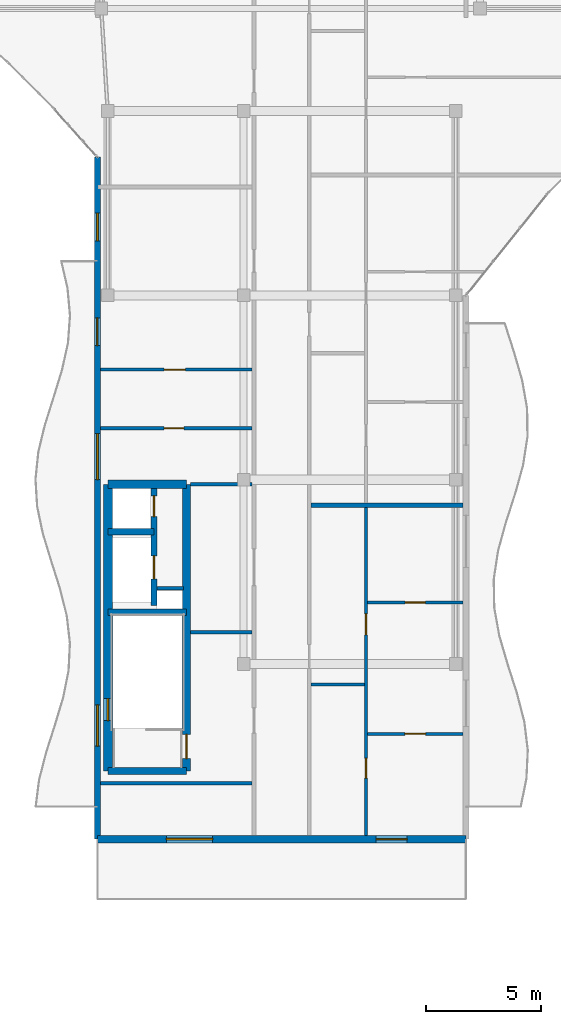
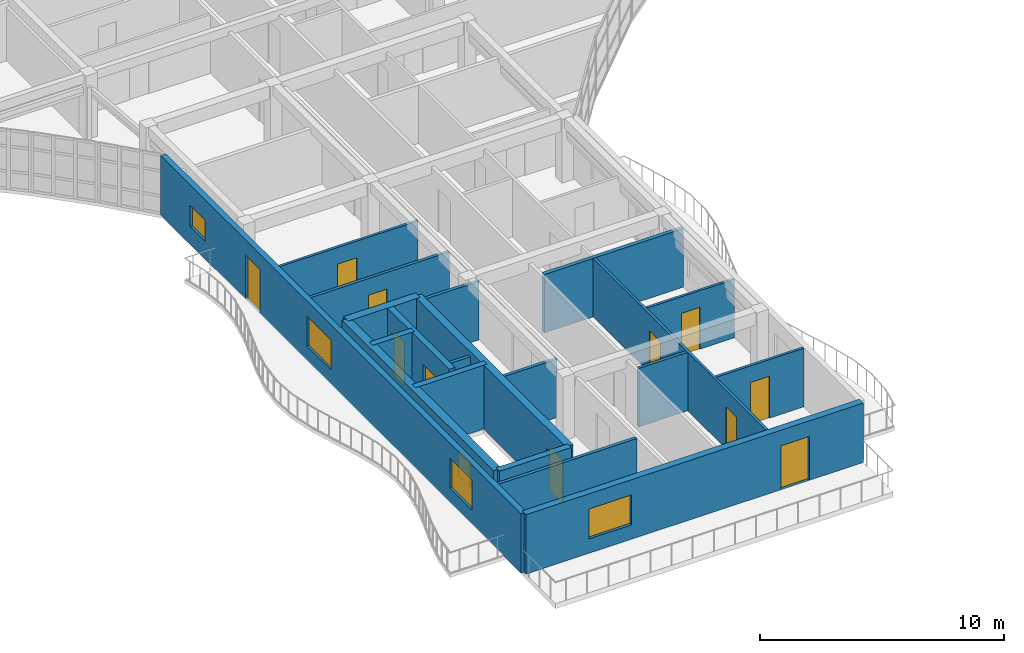
# One storey, part 25 of 49: 20 walls, 11 doors, 5 windows, 16 openings.
"""IFC4 building model written with IfcOpenShell, lengths in metres."""

from ifc_helpers import new_model, si_unit, direction, frame, frame_2d, origin, place, context, subcontext, project, spatial, rectangle, extrude, material, layer, layer_set, type_object, element, fill, save


model = new_model("IFC4")

# Units and contexts
model_context = context("Model", 3, precision=1e-05, world=origin(), true_north=direction((0.0, 1.0)))
body_context = subcontext(model_context, "Body", "Model", "MODEL_VIEW")
ifc_project = project(units=[si_unit("LENGTHUNIT", "METRE"), si_unit("AREAUNIT", "SQUARE_METRE"), si_unit("VOLUMEUNIT", "CUBIC_METRE"), si_unit("PLANEANGLEUNIT", "RADIAN"), si_unit("MASSUNIT", "GRAM", prefix="KILO")], contexts=[model_context])

# Site, building, storey
site_placement = place(None, origin())
site = spatial("IfcSite", under=ifc_project, at=site_placement, CompositionType="ELEMENT")
building_placement = place(site_placement, origin())
building = spatial("IfcBuilding", under=site, at=building_placement, Name="Keldmere Railside Commons", CompositionType="ELEMENT")
storey_placement = place(building_placement, frame((0.0, 0.0, 29.760009765625)))
storey = spatial("IfcBuildingStorey", under=building, at=storey_placement, Name="L09", CompositionType="ELEMENT", Elevation=29.760009765625)

# Wall
ifc_material_1 = material(Name="Acoustic Gypsum Board Partition", Category="gypsum")
ifc_layer_1 = layer(ifc_material_1, 0.179931640625, Name="Acoustic Demising Partition 180")
ifc_layer_set_1 = layer_set([ifc_layer_1], Name="Acoustic Gypsum Board Partition")
wall_type_1 = type_object("IfcWallType", Name="Acoustic Demising Partition 180", PredefinedType="PARTITIONING", material=ifc_layer_set_1)
wall_1_placement = place(storey_placement, frame((57.280029296875, 78.889892578125, 0.0), z_axis=(0.0, 0.0, 1.0), x_axis=(1.0, 0.0, 0.0)))
element("IfcWall", 1, at=wall_1_placement, inside=storey, type_object=wall_type_1, Name="IW-1 IW-L09-0868", PredefinedType="PARTITIONING", context=body_context, shape_type="SweptSolid", body=[
    extrude(rectangle(XDim=6.590087890625, YDim=0.179931640625, at=frame_2d((3.294921875, 0.0))), origin(), (0.0, 0.0, 1.0), 2.93505859375),
])

# Wall, openings, doors
ifc_layer_2 = layer(ifc_material_1, 0.1201171875, Name="Apartment Interior Partition 120")
ifc_layer_set_2 = layer_set([ifc_layer_2], Name="Acoustic Gypsum Board Partition")
wall_type_2 = type_object("IfcWallType", Name="Apartment Interior Partition 120", PredefinedType="PARTITIONING", material=ifc_layer_set_2)
wall_2_placement = place(storey_placement, frame((59.659912109375, 64.56005859375, 0.0), z_axis=(0.0, 0.0, 1.0), x_axis=(0.0, 1.0, 0.0)))
wall_2 = element("IfcWall", 2, at=wall_2_placement, inside=storey, type_object=wall_type_2, Name="IW-4 IW-L09-0870", PredefinedType="PARTITIONING", context=body_context, shape_type="SweptSolid", body=[
    extrude(rectangle(XDim=14.239990234375, YDim=0.1201171875, at=frame_2d((7.1201171875, 0.0))), origin(), (0.0, 0.0, 1.0), 2.93505859375),
])
opening_1_placement = place(wall_2_placement, frame((2.489013671875, 0.0, 0.0)))
opening_1 = element("IfcOpeningElement", 3, at=opening_1_placement, cuts=wall_2, Name="Opening ID-04", PredefinedType="OPENING", context=body_context, shape_type="SweptSolid", body=[
    extrude(rectangle(XDim=0.860107421875, YDim=2.10009765625, at=frame_2d((0.43017578125, 1.050048828125))), frame((0.0, 0.070068359375, 0.0), z_axis=(0.0, -1.0, 0.0), x_axis=(1.0, 0.0, 0.0)), (0.0, 0.0, 1.0), 0.14013671875),
])
opening_2_placement = place(wall_2_placement, frame((8.703125, 0.0, 0.0)))
opening_2 = element("IfcOpeningElement", 4, at=opening_2_placement, cuts=wall_2, Name="Opening ID-03", PredefinedType="OPENING", context=body_context, shape_type="SweptSolid", body=[
    extrude(rectangle(XDim=0.919921875, YDim=2.10009765625, at=frame_2d((0.4599609375, 1.050048828125))), frame((0.0, 0.070068359375, 0.0), z_axis=(0.0, -1.0, 0.0), x_axis=(1.0, 0.0, 0.0)), (0.0, 0.0, 1.0), 0.14013671875),
])
ifc_material_2 = material(Name="Engineered Oak Timber", Category="wood")
door_type_1 = type_object("IfcDoorType", Name="Apartment Bathroom Door 860x2100", OperationType="NOTDEFINED", PredefinedType="DOOR", material=ifc_material_2)
door_1_placement = place(opening_1_placement, origin())
door_1 = element("IfcDoor", 5, at=door_1_placement, inside=storey, type_object=door_type_1, Name="ID-04 IDR-L09-0745", OperationType="SINGLE_SWING_LEFT", OverallHeight=2.10009765625, OverallWidth=0.860107421875, PredefinedType="DOOR", context=body_context, shape_type="SweptSolid", body=[
    extrude(rectangle(XDim=0.860107421875, YDim=2.10009765625, at=frame_2d((0.43017578125, 1.050048828125))), frame((0.0, 0.02490234375, 0.0), z_axis=(0.0, -1.0, 0.0), x_axis=(1.0, 0.0, 0.0)), (0.0, 0.0, 1.0), 0.050048828125),
])
fill(opening_1, door_1)
door_type_2 = type_object("IfcDoorType", Name="Kitchen Pocket-Frame Swing Door 920x2100", OperationType="NOTDEFINED", PredefinedType="DOOR", material=ifc_material_2)
door_2_placement = place(opening_2_placement, origin())
door_2 = element("IfcDoor", 6, at=door_2_placement, inside=storey, type_object=door_type_2, Name="ID-03 IDR-L09-0746", OperationType="SINGLE_SWING_RIGHT", OverallHeight=2.10009765625, OverallWidth=0.919921875, PredefinedType="DOOR", context=body_context, shape_type="SweptSolid", body=[
    extrude(rectangle(XDim=0.919921875, YDim=2.10009765625, at=frame_2d((0.4599609375, 1.050048828125))), frame((0.0, 0.02490234375, 0.0), z_axis=(0.0, -1.0, 0.0), x_axis=(1.0, 0.0, 0.0)), (0.0, 0.0, 1.0), 0.050048828125),
])
fill(opening_2, door_2)

# Wall, opening, door
wall_3_placement = place(storey_placement, frame((59.719970703125, 68.969970703125, 0.0), z_axis=(0.0, 0.0, 1.0), x_axis=(1.0, 0.0, 0.0)))
wall_3 = element("IfcWall", 7, at=wall_3_placement, inside=storey, type_object=wall_type_2, Name="IW-4 IW-L09-0872", PredefinedType="PARTITIONING", context=body_context, shape_type="SweptSolid", body=[
    extrude(rectangle(XDim=4.150146484375, YDim=0.1201171875, at=frame_2d((2.0751953125, 0.0))), origin(), (0.0, 0.0, 1.0), 2.93505859375),
])
opening_3_placement = place(wall_3_placement, frame((1.625, 0.0, 0.0)))
opening_3 = element("IfcOpeningElement", 8, at=opening_3_placement, cuts=wall_3, Name="Opening ID-01", PredefinedType="OPENING", context=body_context, shape_type="SweptSolid", body=[
    extrude(rectangle(XDim=0.89990234375, YDim=2.10009765625, at=frame_2d((0.449951171875, 1.050048828125))), frame((0.0, 0.070068359375, 0.0), z_axis=(0.0, -1.0, 0.0), x_axis=(1.0, 0.0, 0.0)), (0.0, 0.0, 1.0), 0.14013671875),
])
door_type_3 = type_object("IfcDoorType", Name="Primary Bedroom Door 900x2100", OperationType="NOTDEFINED", PredefinedType="DOOR", material=ifc_material_2)
door_3_placement = place(opening_3_placement, origin())
door_3 = element("IfcDoor", 9, at=door_3_placement, inside=storey, type_object=door_type_3, Name="ID-01 IDR-L09-0748", OperationType="SINGLE_SWING_RIGHT", OverallHeight=2.10009765625, OverallWidth=0.89990234375, PredefinedType="DOOR", context=body_context, shape_type="SweptSolid", body=[
    extrude(rectangle(XDim=0.89990234375, YDim=2.10009765625, at=frame_2d((0.449951171875, 1.050048828125))), frame((0.0, 0.02490234375, 0.0), z_axis=(0.0, -1.0, 0.0), x_axis=(1.0, 0.0, 0.0)), (0.0, 0.0, 1.0), 0.050048828125),
])
fill(opening_3, door_3)

wall_4_placement = place(storey_placement, frame((59.719970703125, 74.669921875, 0.0), z_axis=(0.0, 0.0, 1.0), x_axis=(1.0, 0.0, 0.0)))
wall_4 = element("IfcWall", 10, at=wall_4_placement, inside=storey, type_object=wall_type_2, Name="IW-4 IW-L09-0873", PredefinedType="PARTITIONING", context=body_context, shape_type="SweptSolid", body=[
    extrude(rectangle(XDim=4.150146484375, YDim=0.1201171875, at=frame_2d((2.0751953125, 0.0))), origin(), (0.0, 0.0, 1.0), 2.93505859375),
])
opening_4_placement = place(wall_4_placement, frame((1.635009765625, 0.0, 0.0)))
opening_4 = element("IfcOpeningElement", 11, at=opening_4_placement, cuts=wall_4, Name="Opening ID-02", PredefinedType="OPENING", context=body_context, shape_type="SweptSolid", body=[
    extrude(rectangle(XDim=0.8798828125, YDim=2.10009765625, at=frame_2d((0.43994140625, 1.050048828125))), frame((0.0, 0.070068359375, 0.0), z_axis=(0.0, -1.0, 0.0), x_axis=(1.0, 0.0, 0.0)), (0.0, 0.0, 1.0), 0.14013671875),
])
door_type_4 = type_object("IfcDoorType", Name="Secondary Bedroom Door 880x2100", OperationType="NOTDEFINED", PredefinedType="DOOR", material=ifc_material_2)
door_4_placement = place(opening_4_placement, origin())
door_4 = element("IfcDoor", 12, at=door_4_placement, inside=storey, type_object=door_type_4, Name="ID-02 IDR-L09-0749", OperationType="SINGLE_SWING_LEFT", OverallHeight=2.10009765625, OverallWidth=0.8798828125, PredefinedType="DOOR", context=body_context, shape_type="SweptSolid", body=[
    extrude(rectangle(XDim=0.8798828125, YDim=2.10009765625, at=frame_2d((0.43994140625, 1.050048828125))), frame((0.0, 0.02490234375, 0.0), z_axis=(0.0, -1.0, 0.0), x_axis=(1.0, 0.0, 0.0)), (0.0, 0.0, 1.0), 0.050048828125),
])
fill(opening_4, door_4)

wall_5_placement = place(storey_placement, frame((48.1298828125, 84.780029296875, 0.0), z_axis=(0.0, 0.0, 1.0), x_axis=(1.0, 0.0, 0.0)))
wall_5 = element("IfcWall", 13, at=wall_5_placement, inside=storey, type_object=wall_type_2, Name="IW-4 IW-L09-0894", PredefinedType="PARTITIONING", context=body_context, shape_type="SweptSolid", body=[
    extrude(rectangle(XDim=6.590087890625, YDim=0.1201171875, at=frame_2d((3.294921875, 0.0))), origin(), (0.0, 0.0, 1.0), 2.93505859375),
])
opening_5_placement = place(wall_5_placement, frame((2.767822265625, 0.0, 0.0)))
opening_5 = element("IfcOpeningElement", 14, at=opening_5_placement, cuts=wall_5, Name="Opening ID-03", PredefinedType="OPENING", context=body_context, shape_type="SweptSolid", body=[
    extrude(rectangle(XDim=0.919921875, YDim=2.10009765625, at=frame_2d((0.4599609375, 1.050048828125))), frame((0.0, 0.070068359375, 0.0), z_axis=(0.0, -1.0, 0.0), x_axis=(1.0, 0.0, 0.0)), (0.0, 0.0, 1.0), 0.14013671875),
])
door_5_placement = place(opening_5_placement, origin())
door_5 = element("IfcDoor", 15, at=door_5_placement, inside=storey, type_object=door_type_2, Name="ID-03 IDR-L09-0774", OperationType="SINGLE_SWING_RIGHT", OverallHeight=2.10009765625, OverallWidth=0.919921875, PredefinedType="DOOR", context=body_context, shape_type="SweptSolid", body=[
    extrude(rectangle(XDim=0.919921875, YDim=2.10009765625, at=frame_2d((0.4599609375, 1.050048828125))), frame((0.0, 0.02490234375, 0.0), z_axis=(0.0, -1.0, 0.0), x_axis=(1.0, 0.0, 0.0)), (0.0, 0.0, 1.0), 0.050048828125),
])
fill(opening_5, door_5)

# Walls
ifc_material_3 = material(Name="Concrete H-35 (C35/45)", Category="concrete")
ifc_layer_3 = layer(ifc_material_3, 0.280029296875, Name="Core Shear Wall 280")
ifc_layer_set_3 = layer_set([ifc_layer_3], Name="Concrete H-35 (C35/45)")
wall_type_3 = type_object("IfcWallType", Name="Core Shear Wall 280", PredefinedType="SHEAR", material=ifc_layer_set_3)
wall_6_placement = place(storey_placement, frame((48.4599609375, 74.239990234375, 0.0), z_axis=(0.0, 0.0, 1.0), x_axis=(1.0, 0.0, 0.0)))
element("IfcWall", 16, at=wall_6_placement, inside=storey, type_object=wall_type_3, Name="CSW-2 CORECM-L09-0310", PredefinedType="SHEAR", context=body_context, shape_type="SweptSolid", body=[
    extrude(rectangle(XDim=3.41015625, YDim=0.280029296875, at=frame_2d((1.705078125, 0.0))), origin(), (0.0, 0.0, 1.0), 3.199951171875),
])
wall_7_placement = place(storey_placement, frame((48.4599609375, 77.75, 0.0), z_axis=(0.0, 0.0, 1.0), x_axis=(1.0, 0.0, 0.0)))
element("IfcWall", 17, at=wall_7_placement, inside=storey, type_object=wall_type_3, Name="CSW-2 CORECL-L09-0311", PredefinedType="SHEAR", context=body_context, shape_type="SweptSolid", body=[
    extrude(rectangle(XDim=2.0, YDim=0.280029296875, at=frame_2d((1.0, 0.0))), origin(), (0.0, 0.0, 1.0), 3.199951171875),
])

# Wall, openings, doors
wall_8_placement = place(storey_placement, frame((50.4599609375, 74.550048828125, 0.0), z_axis=(0.0, 0.0, 1.0), x_axis=(0.0, 1.0, 0.0)))
wall_8 = element("IfcWall", 18, at=wall_8_placement, inside=storey, type_object=wall_type_3, Name="CSW-2 LSHC-L09-0312", PredefinedType="SHEAR", context=body_context, shape_type="SweptSolid", body=[
    extrude(rectangle(XDim=5.25, YDim=0.280029296875, at=frame_2d((2.625, 0.0))), origin(), (0.0, 0.0, 1.0), 3.199951171875),
])
opening_6_placement = place(wall_8_placement, frame((1.14990234375, 0.0, 0.0)))
opening_6 = element("IfcOpeningElement", 19, at=opening_6_placement, cuts=wall_8, Name="Opening LD-1", PredefinedType="OPENING", context=body_context, shape_type="SweptSolid", body=[
    extrude(rectangle(XDim=1.0, YDim=2.14990234375, at=frame_2d((0.5, 1.074951171875))), frame((0.0, 0.14990234375, 0.0), z_axis=(0.0, -1.0, 0.0), x_axis=(1.0, 0.0, 0.0)), (0.0, 0.0, 1.0), 0.300048828125),
])
opening_7_placement = place(wall_8_placement, frame((3.85009765625, 0.0, 0.0)))
opening_7 = element("IfcOpeningElement", 20, at=opening_7_placement, cuts=wall_8, Name="Opening LD-2", PredefinedType="OPENING", context=body_context, shape_type="SweptSolid", body=[
    extrude(rectangle(XDim=0.89990234375, YDim=2.14990234375, at=frame_2d((0.449951171875, 1.074951171875))), frame((0.0, 0.14990234375, 0.0), z_axis=(0.0, -1.0, 0.0), x_axis=(1.0, 0.0, 0.0)), (0.0, 0.0, 1.0), 0.300048828125),
])
ifc_material_4 = material(Name="Steel F-24 (S235)", Category="steel")
door_type_5 = type_object("IfcDoorType", Name="Firefighting Stretcher Lift Landing Door 1000x2150", OperationType="SLIDING_TO_LEFT", PredefinedType="DOOR", material=ifc_material_4)
door_6_placement = place(opening_6_placement, origin())
door_6 = element("IfcDoor", 21, at=door_6_placement, inside=storey, type_object=door_type_5, Name="LD-1 C L09", OperationType="SLIDING_TO_LEFT", OverallHeight=2.14990234375, OverallWidth=1.0, PredefinedType="DOOR", context=body_context, shape_type="SweptSolid", body=[
    extrude(rectangle(XDim=1.0, YDim=2.14990234375, at=frame_2d((0.5, 1.074951171875))), frame((0.0, 0.02490234375, 0.0), z_axis=(0.0, -1.0, 0.0), x_axis=(1.0, 0.0, 0.0)), (0.0, 0.0, 1.0), 0.050048828125),
])
fill(opening_6, door_6)
door_type_6 = type_object("IfcDoorType", Name="Passenger Lift Sliding Landing Door 900x2150", OperationType="SLIDING_TO_RIGHT", PredefinedType="DOOR", material=ifc_material_4)
door_7_placement = place(opening_7_placement, origin())
door_7 = element("IfcDoor", 22, at=door_7_placement, inside=storey, type_object=door_type_6, Name="LD-2 C L09", OperationType="SLIDING_TO_RIGHT", OverallHeight=2.14990234375, OverallWidth=0.89990234375, PredefinedType="DOOR", context=body_context, shape_type="SweptSolid", body=[
    extrude(rectangle(XDim=0.89990234375, YDim=2.14990234375, at=frame_2d((0.449951171875, 1.074951171875))), frame((0.0, 0.02490234375, 0.0), z_axis=(0.0, -1.0, 0.0), x_axis=(1.0, 0.0, 0.0)), (0.0, 0.0, 1.0), 0.050048828125),
])
fill(opening_7, door_7)

# Wall, opening, window
ifc_material_5 = material(Name="Concrete H-40 (C40/50)", Category="concrete")
ifc_layer_4 = layer(ifc_material_5, 0.3798828125, Name="Core Shear Wall 380")
ifc_layer_set_4 = layer_set([ifc_layer_4], Name="Concrete H-40 (C40/50)")
wall_type_4 = type_object("IfcWallType", Name="Core Shear Wall 380", PredefinedType="SHEAR", material=ifc_layer_set_4)
wall_9_placement = place(storey_placement, frame((48.4599609375, 67.35009765625, 0.0), z_axis=(0.0, 0.0, 1.0), x_axis=(0.0, 1.0, 0.0)))
wall_9 = element("IfcWall", 23, at=wall_9_placement, inside=storey, type_object=wall_type_4, Name="CW-CORE CORECW-L09-0306", PredefinedType="SHEAR", context=body_context, shape_type="SweptSolid", body=[
    extrude(rectangle(XDim=12.449951171875, YDim=0.3798828125, at=frame_2d((6.22509765625, 0.0))), origin(), (0.0, 0.0, 1.0), 3.199951171875),
])
opening_8_placement = place(wall_9_placement, frame((2.199951171875, 0.0, 0.969970703125)))
opening_8 = element("IfcOpeningElement", 24, at=opening_8_placement, cuts=wall_9, Name="Opening WN-17", PredefinedType="OPENING", context=body_context, shape_type="SweptSolid", body=[
    extrude(rectangle(XDim=0.949951171875, YDim=1.25, at=frame_2d((0.47509765625, 0.625))), frame((0.0, 0.199951171875, 0.0), z_axis=(0.0, -1.0, 0.0), x_axis=(1.0, 0.0, 0.0)), (0.0, 0.0, 1.0), 0.39990234375),
])
ifc_material_6 = material(Name="Low-E Insulated Double Glazing", Category="glass")
window_type_1 = type_object("IfcWindowType", Name="Stair Core Natural Smoke-Vent Window 950x1250", PartitioningType="SINGLE_PANEL", PredefinedType="WINDOW", material=ifc_material_6)
window_1_placement = place(opening_8_placement, origin())
window_1 = element("IfcWindow", 25, at=window_1_placement, inside=storey, type_object=window_type_1, Name="WN-17 WIN-L09-0155", OverallHeight=1.25, OverallWidth=0.949951171875, PartitioningType="SINGLE_PANEL", PredefinedType="WINDOW", context=body_context, shape_type="SweptSolid", body=[
    extrude(rectangle(XDim=0.949951171875, YDim=1.25, at=frame_2d((0.47509765625, 0.625))), frame((0.0, 0.030029296875, 0.0), z_axis=(0.0, -1.0, 0.0), x_axis=(1.0, 0.0, 0.0)), (0.0, 0.0, 1.0), 0.06005859375),
])
fill(opening_8, window_1)

# Wall
wall_10_placement = place(storey_placement, frame((48.4599609375, 79.800048828125, 0.0), z_axis=(0.0, 0.0, 1.0), x_axis=(1.0, 0.0, 0.0)))
element("IfcWall", 26, at=wall_10_placement, inside=storey, type_object=wall_type_4, Name="CW-CORE CORECN-L09-0307", PredefinedType="SHEAR", context=body_context, shape_type="SweptSolid", body=[
    extrude(rectangle(XDim=3.41015625, YDim=0.3798828125, at=frame_2d((1.705078125, 0.0))), origin(), (0.0, 0.0, 1.0), 3.199951171875),
])

# Wall, openings, window, door
ifc_layer_5 = layer(ifc_material_3, 0.320068359375, Name="Exterior Shear Wall 320")
ifc_layer_set_5 = layer_set([ifc_layer_5], Name="Concrete H-35 (C35/45)")
wall_type_5 = type_object("IfcWallType", Name="Exterior Shear Wall 320", PredefinedType="SHEAR", material=ifc_layer_set_5)
wall_11_placement = place(storey_placement, frame((64.0, 64.39990234375, 0.0), z_axis=(0.0, 0.0, 1.0), x_axis=(-1.0, 0.0, 0.0)))
wall_11 = element("IfcWall", 27, at=wall_11_placement, inside=storey, type_object=wall_type_5, Name="ESW-2 EXTC-L09-0397", PredefinedType="SHEAR", context=body_context, shape_type="SweptSolid", body=[
    extrude(rectangle(XDim=16.0, YDim=0.320068359375, at=frame_2d((8.0, 0.0))), origin(), (0.0, 0.0, 1.0), 2.97998046875),
])
opening_9_placement = place(wall_11_placement, frame((2.550048828125, 0.0, 0.0)))
opening_9 = element("IfcOpeningElement", 28, at=opening_9_placement, cuts=wall_11, Name="Opening BD-03", PredefinedType="OPENING", context=body_context, shape_type="SweptSolid", body=[
    extrude(rectangle(XDim=1.35009765625, YDim=2.199951171875, at=frame_2d((0.675048828125, 1.10009765625))), frame((0.0, 0.169921875, 0.0), z_axis=(0.0, -1.0, 0.0), x_axis=(1.0, 0.0, 0.0)), (0.0, 0.0, 1.0), 0.340087890625),
])
opening_10_placement = place(wall_11_placement, frame((11.0, 0.0, 0.719970703125)))
opening_10 = element("IfcOpeningElement", 29, at=opening_10_placement, cuts=wall_11, Name="Opening WN-02", PredefinedType="OPENING", context=body_context, shape_type="SweptSolid", body=[
    extrude(rectangle(XDim=2.0, YDim=1.5, at=frame_2d((1.0, 0.75))), frame((0.0, 0.169921875, 0.0), z_axis=(0.0, -1.0, 0.0), x_axis=(1.0, 0.0, 0.0)), (0.0, 0.0, 1.0), 0.340087890625),
])
window_type_2 = type_object("IfcWindowType", Name="Living Room South Casement Window 2000x1500", PartitioningType="SINGLE_PANEL", PredefinedType="WINDOW", material=ifc_material_6)
window_2_placement = place(opening_10_placement, origin())
window_2 = element("IfcWindow", 30, at=window_2_placement, inside=storey, type_object=window_type_2, Name="WN-02 WIN-L09-0322", OverallHeight=1.5, OverallWidth=2.0, PartitioningType="SINGLE_PANEL", PredefinedType="WINDOW", context=body_context, shape_type="SweptSolid", body=[
    extrude(rectangle(XDim=2.0, YDim=1.5, at=frame_2d((1.0, 0.75))), frame((0.0, 0.030029296875, 0.0), z_axis=(0.0, -1.0, 0.0), x_axis=(1.0, 0.0, 0.0)), (0.0, 0.0, 1.0), 0.06005859375),
])
fill(opening_10, window_2)
ifc_material_7 = material(Name="Thermally Broken Aluminium", Category="aluminium")
door_type_7 = type_object("IfcDoorType", Name="Planted Roof-Terrace Lounge Door 1350x2200", OperationType="NOTDEFINED", PredefinedType="DOOR", material=ifc_material_7)
door_8_placement = place(opening_9_placement, origin())
door_8 = element("IfcDoor", 31, at=door_8_placement, inside=storey, type_object=door_type_7, Name="BD-03 DR-L09-0115", OperationType="SINGLE_SWING_LEFT", OverallHeight=2.199951171875, OverallWidth=1.35009765625, PredefinedType="DOOR", context=body_context, shape_type="SweptSolid", body=[
    extrude(rectangle(XDim=1.35009765625, YDim=2.199951171875, at=frame_2d((0.675048828125, 1.10009765625))), frame((0.0, 0.02490234375, 0.0), z_axis=(0.0, -1.0, 0.0), x_axis=(1.0, 0.0, 0.0)), (0.0, 0.0, 1.0), 0.050048828125),
])
fill(opening_9, door_8)

# Wall
ifc_layer_6 = layer(ifc_material_3, 0.300048828125, Name="Interior Shear Wall 300")
ifc_layer_set_6 = layer_set([ifc_layer_6], Name="Concrete H-35 (C35/45)")
wall_type_6 = type_object("IfcWallType", Name="Interior Shear Wall 300", PredefinedType="SHEAR", material=ifc_layer_set_6)
wall_12_placement = place(storey_placement, frame((51.8701171875, 67.35009765625, 0.0), z_axis=(0.0, 0.0, 1.0), x_axis=(-1.0, 0.0, 0.0)))
element("IfcWall", 32, at=wall_12_placement, inside=storey, type_object=wall_type_6, Name="ISW-2 CORECS-L09-0309", PredefinedType="SHEAR", context=body_context, shape_type="SweptSolid", body=[
    extrude(rectangle(XDim=3.41015625, YDim=0.300048828125, at=frame_2d((1.705078125, 0.0))), origin(), (0.0, 0.0, 1.0), 3.199951171875),
])

# Wall, opening, door
ifc_layer_7 = layer(ifc_material_3, 0.340087890625, Name="Interior Shear Wall 340")
ifc_layer_set_7 = layer_set([ifc_layer_7], Name="Concrete H-35 (C35/45)")
wall_type_7 = type_object("IfcWallType", Name="Interior Shear Wall 340", PredefinedType="SHEAR", material=ifc_layer_set_7)
wall_13_placement = place(storey_placement, frame((51.8701171875, 79.800048828125, 0.0), z_axis=(0.0, 0.0, 1.0), x_axis=(0.0, -1.0, 0.0)))
wall_13 = element("IfcWall", 33, at=wall_13_placement, inside=storey, type_object=wall_type_7, Name="ISW-1 CORECE-L09-0308", PredefinedType="SHEAR", context=body_context, shape_type="SweptSolid", body=[
    extrude(rectangle(XDim=12.449951171875, YDim=0.340087890625, at=frame_2d((6.22509765625, 0.0))), origin(), (0.0, 0.0, 1.0), 3.199951171875),
])
opening_11_placement = place(wall_13_placement, frame((10.85009765625, 0.0, 0.0)))
opening_11 = element("IfcOpeningElement", 34, at=opening_11_placement, cuts=wall_13, Name="Opening FD-1", PredefinedType="OPENING", context=body_context, shape_type="SweptSolid", body=[
    extrude(rectangle(XDim=1.050048828125, YDim=2.14990234375, at=frame_2d((0.52490234375, 1.074951171875))), frame((0.0, 0.179931640625, 0.0), z_axis=(0.0, -1.0, 0.0), x_axis=(1.0, 0.0, 0.0)), (0.0, 0.0, 1.0), 0.360107421875),
])
door_type_8 = type_object("IfcDoorType", Name="Stair Core Fire Door 1050x2150", OperationType="NOTDEFINED", PredefinedType="DOOR", material=ifc_material_4)
door_9_placement = place(opening_11_placement, origin())
door_9 = element("IfcDoor", 35, at=door_9_placement, inside=storey, type_object=door_type_8, Name="FD-1 C1 L09", OperationType="SINGLE_SWING_LEFT", OverallHeight=2.14990234375, OverallWidth=1.050048828125, PredefinedType="DOOR", context=body_context, shape_type="SweptSolid", body=[
    extrude(rectangle(XDim=1.050048828125, YDim=2.14990234375, at=frame_2d((0.52490234375, 1.074951171875))), frame((0.0, 0.02490234375, 0.0), z_axis=(0.0, -1.0, 0.0), x_axis=(1.0, 0.0, 0.0)), (0.0, 0.0, 1.0), 0.050048828125),
])
fill(opening_11, door_9)

# Walls
ifc_layer_8 = layer(ifc_material_1, 0.14990234375, Name="Lobby Rated Partition 150")
ifc_layer_set_8 = layer_set([ifc_layer_8], Name="Acoustic Gypsum Board Partition")
wall_type_8 = type_object("IfcWallType", Name="Lobby Rated Partition 150", PredefinedType="PARTITIONING", material=ifc_layer_set_8)
wall_14_placement = place(storey_placement, frame((50.60009765625, 75.280029296875, 0.0), z_axis=(0.0, 0.0, 1.0), x_axis=(1.0, 0.0, 0.0)))
element("IfcWall", 36, at=wall_14_placement, inside=storey, type_object=wall_type_8, Name="IW-3 RSRNC-L09-0313", PredefinedType="PARTITIONING", context=body_context, shape_type="SweptSolid", body=[
    extrude(rectangle(XDim=1.1298828125, YDim=0.14990234375, at=frame_2d((0.56494140625, 0.0))), origin(), (0.0, 0.0, 1.0), 2.949951171875),
])
wall_15_placement = place(storey_placement, frame((48.1298828125, 66.820068359375, 0.0), z_axis=(0.0, 0.0, 1.0), x_axis=(1.0, 0.0, 0.0)))
element("IfcWall", 37, at=wall_15_placement, inside=storey, type_object=wall_type_8, Name="IW-3 IW-L09-0856", PredefinedType="PARTITIONING", context=body_context, shape_type="SweptSolid", body=[
    extrude(rectangle(XDim=6.590087890625, YDim=0.14990234375, at=frame_2d((3.294921875, 0.0))), origin(), (0.0, 0.0, 1.0), 2.93505859375),
])
for number, where, z_axis, x_axis, name in (
    (38, (52.0400390625, 73.3798828125, 0.0), (0.0, 0.0, 1.0), (1.0, 0.0, 0.0), "IW-3 IW-L09-0857"),
    (39, (52.0400390625, 79.800048828125, 0.0), (0.0, 0.0, 1.0), (1.0, 0.0, 0.0), "IW-3 IW-L09-0858"),
):
    element("IfcWall", number, at=place(storey_placement, frame(where, z_axis=z_axis, x_axis=x_axis)), inside=storey, type_object=wall_type_8, Name=name, PredefinedType="PARTITIONING", context=body_context, shape_type="SweptSolid", body=[
        extrude(rectangle(XDim=2.679931640625, YDim=0.14990234375, at=frame_2d((1.33984375, 0.0))), origin(), (0.0, 0.0, 1.0), 2.93505859375),
    ])

# Wall, openings, windows, door
ifc_material_8 = material(Name="Terracotta Brick Masonry", Category="masonry")
ifc_layer_9 = layer(ifc_material_8, 0.260009765625, Name="Terracotta Cavity Wall 260")
ifc_layer_set_9 = layer_set([ifc_layer_9], Name="Terracotta Brick Masonry")
wall_type_9 = type_object("IfcWallType", Name="Terracotta Cavity Wall 260", PredefinedType="SOLIDWALL", material=ifc_layer_set_9)
wall_16_placement = place(storey_placement, frame((48.0, 64.39990234375, 0.0), z_axis=(0.0, 0.0, 1.0), x_axis=(0.0, 1.0, 0.0)))
wall_16 = element("IfcWall", 40, at=wall_16_placement, inside=storey, type_object=wall_type_9, Name="EW-1 EXTC-L09-0404", PredefinedType="SOLIDWALL", context=body_context, shape_type="SweptSolid", body=[
    extrude(rectangle(XDim=29.60009765625, YDim=0.260009765625, at=frame_2d((14.800048828125, 0.0))), origin(), (0.0, 0.0, 1.0), 2.97998046875),
])
opening_12_placement = place(wall_16_placement, frame((4.033203125, 0.0, 0.719970703125)))
opening_12 = element("IfcOpeningElement", 41, at=opening_12_placement, cuts=wall_16, Name="Opening WN-01", PredefinedType="OPENING", context=body_context, shape_type="SweptSolid", body=[
    extrude(rectangle(XDim=1.800048828125, YDim=1.5, at=frame_2d((0.89990234375, 0.75))), frame((0.0, 0.139892578125, 0.0), z_axis=(0.0, -1.0, 0.0), x_axis=(1.0, 0.0, 0.0)), (0.0, 0.0, 1.0), 0.280029296875),
])
opening_13_placement = place(wall_16_placement, frame((15.60009765625, 0.0, 0.719970703125)))
opening_13 = element("IfcOpeningElement", 42, at=opening_13_placement, cuts=wall_16, Name="Opening WN-02", PredefinedType="OPENING", context=body_context, shape_type="SweptSolid", body=[
    extrude(rectangle(XDim=2.0, YDim=1.5, at=frame_2d((1.0, 0.75))), frame((0.0, 0.139892578125, 0.0), z_axis=(0.0, -1.0, 0.0), x_axis=(1.0, 0.0, 0.0)), (0.0, 0.0, 1.0), 0.280029296875),
])
opening_14_placement = place(wall_16_placement, frame((21.419921875, 0.0, 0.0)))
opening_14 = element("IfcOpeningElement", 43, at=opening_14_placement, cuts=wall_16, Name="Opening BD-01", PredefinedType="OPENING", context=body_context, shape_type="SweptSolid", body=[
    extrude(rectangle(XDim=1.199951171875, YDim=2.199951171875, at=frame_2d((0.60009765625, 1.10009765625))), frame((0.0, 0.139892578125, 0.0), z_axis=(0.0, -1.0, 0.0), x_axis=(1.0, 0.0, 0.0)), (0.0, 0.0, 1.0), 0.280029296875),
])
opening_15_placement = place(wall_16_placement, frame((25.966796875, 0.0, 0.89990234375)))
opening_15 = element("IfcOpeningElement", 44, at=opening_15_placement, cuts=wall_16, Name="Opening WN-14", PredefinedType="OPENING", context=body_context, shape_type="SweptSolid", body=[
    extrude(rectangle(XDim=1.199951171875, YDim=1.050048828125, at=frame_2d((0.60009765625, 0.52490234375))), frame((0.0, 0.139892578125, 0.0), z_axis=(0.0, -1.0, 0.0), x_axis=(1.0, 0.0, 0.0)), (0.0, 0.0, 1.0), 0.280029296875),
])
window_type_3 = type_object("IfcWindowType", Name="Apartment Kitchen Ribbon Window 1200x1050", PartitioningType="SINGLE_PANEL", PredefinedType="WINDOW", material=ifc_material_6)
window_3_placement = place(opening_15_placement, origin())
window_3 = element("IfcWindow", 45, at=window_3_placement, inside=storey, type_object=window_type_3, Name="WN-14 WIN-L09-0336", OverallHeight=1.050048828125, OverallWidth=1.199951171875, PartitioningType="SINGLE_PANEL", PredefinedType="WINDOW", context=body_context, shape_type="SweptSolid", body=[
    extrude(rectangle(XDim=1.199951171875, YDim=1.050048828125, at=frame_2d((0.60009765625, 0.52490234375))), frame((0.0, 0.030029296875, 0.0), z_axis=(0.0, -1.0, 0.0), x_axis=(1.0, 0.0, 0.0)), (0.0, 0.0, 1.0), 0.06005859375),
])
fill(opening_15, window_3)
door_type_9 = type_object("IfcDoorType", Name="Apartment Living Wave-Balcony Glazed Door 1200x2200", OperationType="NOTDEFINED", PredefinedType="DOOR", material=ifc_material_7)
door_10_placement = place(opening_14_placement, origin())
door_10 = element("IfcDoor", 46, at=door_10_placement, inside=storey, type_object=door_type_9, Name="BD-01 DR-L09-0122", OperationType="SINGLE_SWING_RIGHT", OverallHeight=2.199951171875, OverallWidth=1.199951171875, PredefinedType="DOOR", context=body_context, shape_type="SweptSolid", body=[
    extrude(rectangle(XDim=1.199951171875, YDim=2.199951171875, at=frame_2d((0.60009765625, 1.10009765625))), frame((0.0, 0.02490234375, 0.0), z_axis=(0.0, -1.0, 0.0), x_axis=(1.0, 0.0, 0.0)), (0.0, 0.0, 1.0), 0.050048828125),
])
fill(opening_14, door_10)
window_type_4 = type_object("IfcWindowType", Name="Living Room North Casement Window 1800x1500", PartitioningType="SINGLE_PANEL", PredefinedType="WINDOW", material=ifc_material_6)
window_4_placement = place(opening_12_placement, origin())
window_4 = element("IfcWindow", 47, at=window_4_placement, inside=storey, type_object=window_type_4, Name="WN-01 WIN-L09-0334", OverallHeight=1.5, OverallWidth=1.800048828125, PartitioningType="SINGLE_PANEL", PredefinedType="WINDOW", context=body_context, shape_type="SweptSolid", body=[
    extrude(rectangle(XDim=1.800048828125, YDim=1.5, at=frame_2d((0.89990234375, 0.75))), frame((0.0, 0.030029296875, 0.0), z_axis=(0.0, -1.0, 0.0), x_axis=(1.0, 0.0, 0.0)), (0.0, 0.0, 1.0), 0.06005859375),
])
fill(opening_12, window_4)
window_5_placement = place(opening_13_placement, origin())
window_5 = element("IfcWindow", 48, at=window_5_placement, inside=storey, type_object=window_type_2, Name="WN-02 WIN-L09-0335", OverallHeight=1.5, OverallWidth=2.0, PartitioningType="SINGLE_PANEL", PredefinedType="WINDOW", context=body_context, shape_type="SweptSolid", body=[
    extrude(rectangle(XDim=2.0, YDim=1.5, at=frame_2d((1.0, 0.75))), frame((0.0, 0.030029296875, 0.0), z_axis=(0.0, -1.0, 0.0), x_axis=(1.0, 0.0, 0.0)), (0.0, 0.0, 1.0), 0.06005859375),
])
fill(opening_13, window_5)

# Wall
ifc_layer_10 = layer(ifc_material_1, 0.139892578125, Name="Wet-Room Sanitary Partition 140")
ifc_layer_set_10 = layer_set([ifc_layer_10], Name="Acoustic Gypsum Board Partition")
wall_type_10 = type_object("IfcWallType", Name="Wet-Room Sanitary Partition 140", PredefinedType="PARTITIONING", material=ifc_layer_set_10)
wall_17_placement = place(storey_placement, frame((57.280029296875, 71.110107421875, 0.0), z_axis=(0.0, 0.0, 1.0), x_axis=(1.0, 0.0, 0.0)))
element("IfcWall", 49, at=wall_17_placement, inside=storey, type_object=wall_type_10, Name="IW-5 IW-L09-0871", PredefinedType="PARTITIONING", context=body_context, shape_type="SweptSolid", body=[
    extrude(rectangle(XDim=2.320068359375, YDim=0.139892578125, at=frame_2d((1.16015625, 0.0))), origin(), (0.0, 0.0, 1.0), 2.93505859375),
])

# Wall, opening, door
wall_18_placement = place(storey_placement, frame((48.1298828125, 82.22998046875, 0.0), z_axis=(0.0, 0.0, 1.0), x_axis=(1.0, 0.0, 0.0)))
wall_18 = element("IfcWall", 50, at=wall_18_placement, inside=storey, type_object=wall_type_10, Name="IW-5 IW-L09-0893", PredefinedType="PARTITIONING", context=body_context, shape_type="SweptSolid", body=[
    extrude(rectangle(XDim=6.590087890625, YDim=0.139892578125, at=frame_2d((3.294921875, 0.0))), origin(), (0.0, 0.0, 1.0), 2.93505859375),
])
opening_16_placement = place(wall_18_placement, frame((2.767822265625, 0.0, 0.0)))
opening_16 = element("IfcOpeningElement", 51, at=opening_16_placement, cuts=wall_18, Name="Opening ID-04", PredefinedType="OPENING", context=body_context, shape_type="SweptSolid", body=[
    extrude(rectangle(XDim=0.860107421875, YDim=2.10009765625, at=frame_2d((0.43017578125, 1.050048828125))), frame((0.0, 0.079833984375, 0.0), z_axis=(0.0, -1.0, 0.0), x_axis=(1.0, 0.0, 0.0)), (0.0, 0.0, 1.0), 0.159912109375),
])
door_11_placement = place(opening_16_placement, origin())
door_11 = element("IfcDoor", 52, at=door_11_placement, inside=storey, type_object=door_type_1, Name="ID-04 IDR-L09-0773", OperationType="SINGLE_SWING_LEFT", OverallHeight=2.10009765625, OverallWidth=0.860107421875, PredefinedType="DOOR", context=body_context, shape_type="SweptSolid", body=[
    extrude(rectangle(XDim=0.860107421875, YDim=2.10009765625, at=frame_2d((0.43017578125, 1.050048828125))), frame((0.0, 0.02490234375, 0.0), z_axis=(0.0, -1.0, 0.0), x_axis=(1.0, 0.0, 0.0)), (0.0, 0.0, 1.0), 0.050048828125),
])
fill(opening_16, door_11)

save(model, "model.ifc")
